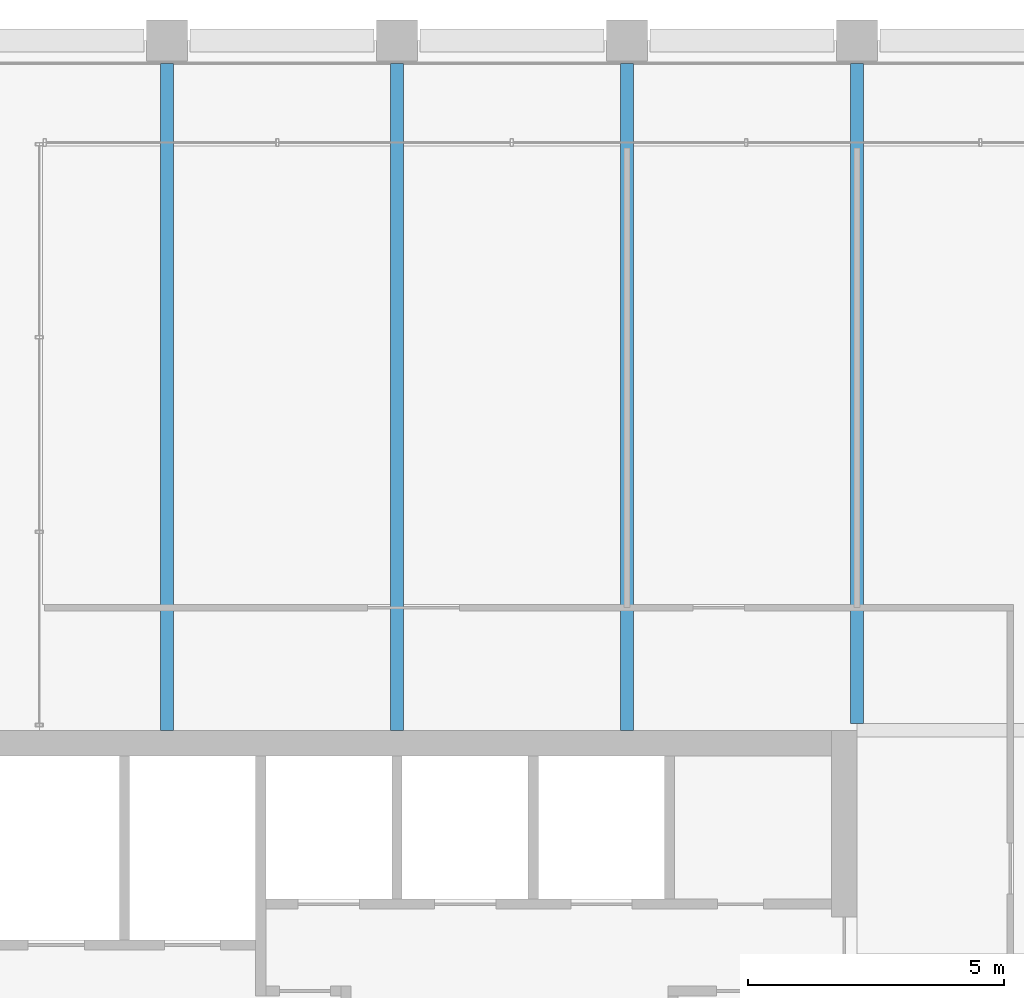
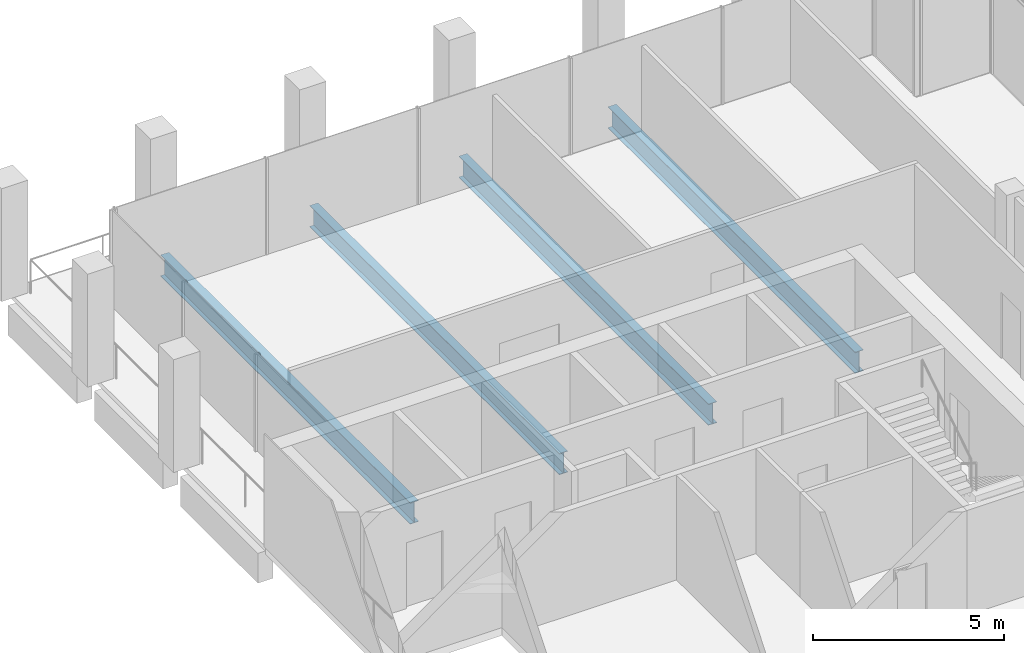
# One storey, part 22 of 40: 4 beams.
"""IFC4 building model written with IfcOpenShell, lengths in metres."""

from ifc_helpers import new_model, si_unit, direction, frame, origin, origin_2d, place, context, subcontext, project, spatial, i_section, extrude, material, material_profile, profile_set, type_object, element, save


model = new_model("IFC4")

# Units and contexts
model_context = context("Model", 3, precision=1e-05, world=origin(), true_north=direction((0.0, 1.0)))
body_context = subcontext(model_context, "Body", "Model", "MODEL_VIEW")
ifc_project = project(units=[si_unit("LENGTHUNIT", "METRE"), si_unit("AREAUNIT", "SQUARE_METRE"), si_unit("VOLUMEUNIT", "CUBIC_METRE"), si_unit("PLANEANGLEUNIT", "RADIAN"), si_unit("MASSUNIT", "GRAM", prefix="KILO")], contexts=[model_context])

# Site, building, storey
site_placement = place(None, origin())
site = spatial("IfcSite", under=ifc_project, at=site_placement, CompositionType="ELEMENT")
building_placement = place(site_placement, origin())
building = spatial("IfcBuilding", under=site, at=building_placement, Name="Altepetl Exchange Towers", CompositionType="ELEMENT")
storey_placement = place(building_placement, frame((0.0, 0.0, 195.60009765625)))
storey = spatial("IfcBuildingStorey", under=building, at=storey_placement, Name="L49", CompositionType="ELEMENT", Elevation=195.60009765625)

# Beams
ifc_material = material(Name="Steel S355", Category="steel")
ifc_material_profile = material_profile(ifc_material, i_section(OverallWidth=0.2529296875, OverallDepth=0.677978515625, WebThickness=0.01171875, FlangeThickness=0.016357421875, at=origin_2d()), Name="W27X84")
ifc_profile_set = profile_set([ifc_material_profile], Name="Steel S355")
beam_type = type_object("IfcBeamType", Name="Floor beam W27X84", PredefinedType="BEAM", material=ifc_profile_set)
for number, where, z_axis, x_axis, name in (
    (1, (45.0, 58.5, -0.489013671875), (0.0, 1.0, 0.0), (-1.0, 0.0, 0.0), "bm:A:L49:000"),
    (2, (49.5, 58.5, -0.489013671875), (0.0, 1.0, 0.0), (-1.0, 0.0, 0.0), "bm:A:L49:001"),
    (3, (54.0, 58.5, -0.489013671875), (0.0, 1.0, 0.0), (-1.0, 0.0, 0.0), "bm:A:L49:002"),
):
    element("IfcBeam", number, at=place(storey_placement, frame(where, z_axis=z_axis, x_axis=x_axis)), inside=storey, type_object=beam_type, Name=name, PredefinedType="BEAM", context=body_context, shape_type="SweptSolid", body=[
        extrude(i_section(OverallWidth=0.2529296875, OverallDepth=0.677978515625, WebThickness=0.01171875, FlangeThickness=0.016357421875, at=origin_2d()), origin(), (0.0, 0.0, 1.0), 13.050048828125),
    ])
beam_placement = place(storey_placement, frame((58.5, 58.634033203125, -0.489013671875), z_axis=(0.0, 1.0, 0.0), x_axis=(-1.0, 0.0, 0.0)))
element("IfcBeam", 4, at=beam_placement, inside=storey, type_object=beam_type, Name="bm:A:L49:003", PredefinedType="BEAM", context=body_context, shape_type="SweptSolid", body=[
    extrude(i_section(OverallWidth=0.2529296875, OverallDepth=0.677978515625, WebThickness=0.01171875, FlangeThickness=0.016357421875, at=origin_2d()), origin(), (0.0, 0.0, 1.0), 12.916015625),
])

save(model, "model.ifc")
